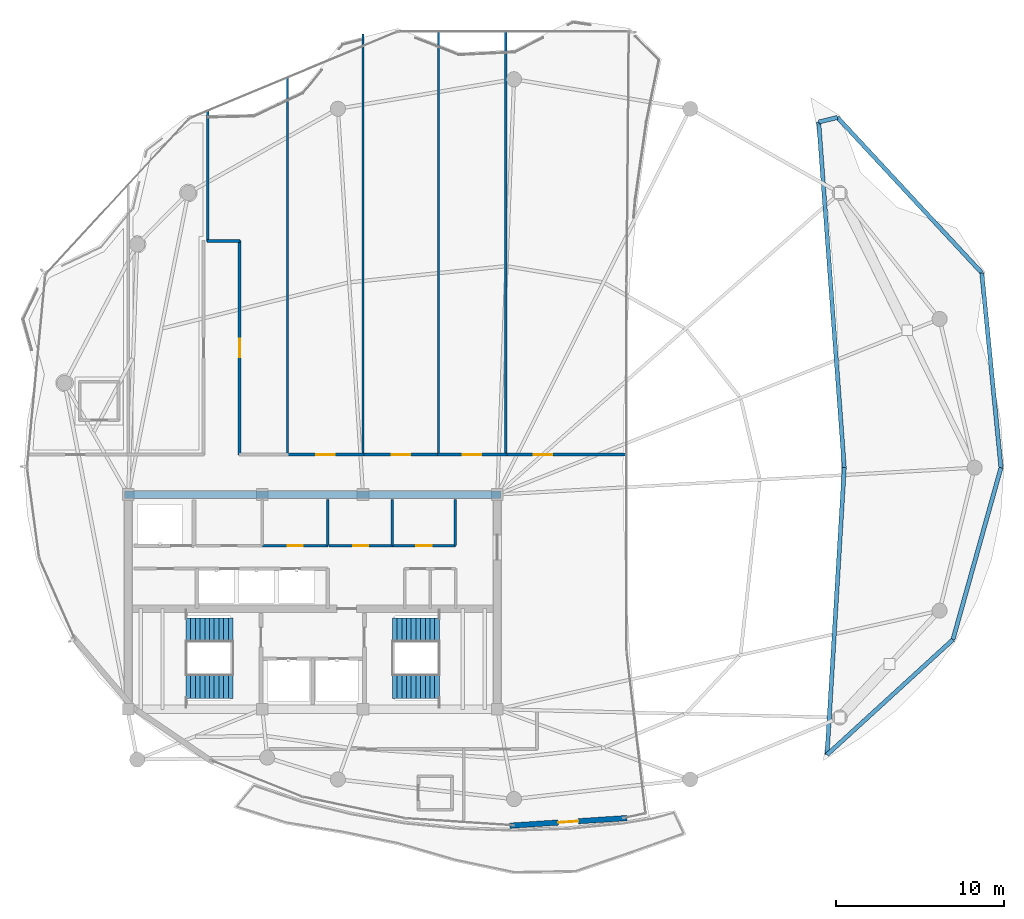
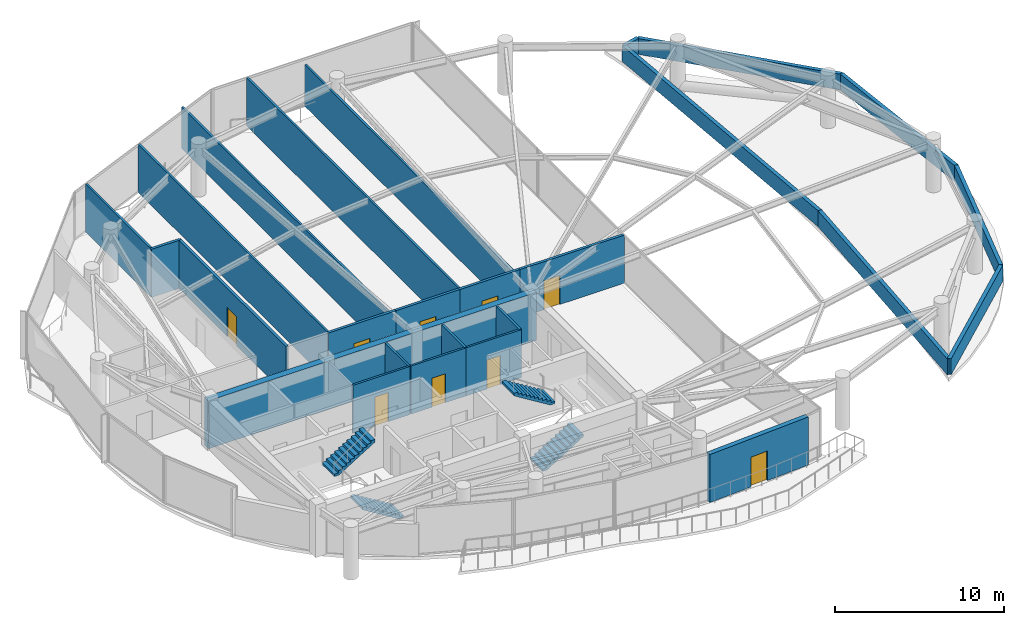
# One storey, part 19 of 22: 26 walls, 9 doors, 4 stair flights, 9 openings, 2 elements without a shape of their own.
"""IFC4 building model written with IfcOpenShell, lengths in metres."""

from ifc_helpers import new_model, si_unit, direction, frame, frame_2d, origin, place, context, subcontext, project, spatial, polyline, rectangle, outline, extrude, material, layer, layer_set, type_object, element, fill, aggregate, save


model = new_model("IFC4")

# Units and contexts
model_context = context("Model", 3, precision=1e-05, world=origin(), true_north=direction((0.0, 1.0)))
body_context = subcontext(model_context, "Body", "Model", "MODEL_VIEW")
ifc_project = project(units=[si_unit("LENGTHUNIT", "METRE"), si_unit("AREAUNIT", "SQUARE_METRE"), si_unit("VOLUMEUNIT", "CUBIC_METRE"), si_unit("PLANEANGLEUNIT", "RADIAN"), si_unit("MASSUNIT", "GRAM", prefix="KILO")], contexts=[model_context])

# Site, building, storey
site_placement = place(None, origin())
site = spatial("IfcSite", under=ifc_project, at=site_placement, CompositionType="ELEMENT")
building_placement = place(site_placement, origin())
building = spatial("IfcBuilding", under=site, at=building_placement, Name="Kazevale Care Tower and Concert Hall", CompositionType="ELEMENT")
storey_placement = place(building_placement, frame((0.0, 0.0, 277.60009765625)))
storey = spatial("IfcBuildingStorey", under=building, at=storey_placement, Name="L73", CompositionType="ELEMENT", Elevation=277.60009765625)

# Wall, opening, door
ifc_material_1 = material(Name="Acoustic Gypsum on Steel Stud", Category="steel")
ifc_layer_1 = layer(ifc_material_1, 0.139892578125)
ifc_layer_set_1 = layer_set([ifc_layer_1], Name="Acoustic Gypsum on Steel Stud")
wall_type_1 = type_object("IfcWallType", Name="Acoustic Care & Suite Partition 140", PredefinedType="PARTITIONING", material=ifc_layer_set_1)
wall_1_placement = place(storey_placement, frame((30.0, 33.35009765625, 0.0), z_axis=(0.0, 0.0, 1.0), x_axis=(1.0, 0.0, 0.0)))
wall_1 = element("IfcWall", 1, at=wall_1_placement, inside=storey, type_object=wall_type_1, Name="wall:L73:c_rpl2_s", PredefinedType="PARTITIONING", context=body_context, shape_type="SweptSolid", body=[
    extrude(rectangle(XDim=3.919921875, YDim=0.139892578125, at=frame_2d((1.9599609375, 0.0))), origin(), (0.0, 0.0, 1.0), 3.47998046875),
])
opening_1_placement = place(wall_1_placement, frame((1.5, 0.0, 0.0)))
opening_1 = element("IfcOpeningElement", 2, at=opening_1_placement, cuts=wall_1, Name="Opening ID-900", PredefinedType="OPENING", context=body_context, shape_type="SweptSolid", body=[
    extrude(rectangle(XDim=0.919921875, YDim=2.10009765625, at=frame_2d((0.4599609375, 1.050048828125))), frame((0.0, 0.079833984375, 0.0), z_axis=(0.0, -1.0, 0.0), x_axis=(1.0, 0.0, 0.0)), (0.0, 0.0, 1.0), 0.159912109375),
])
ifc_material_2 = material(Name="Oak Timber Fire Leaf", Category="wood")
door_type_1 = type_object("IfcDoorType", Name="Bathroom & Service Door 920x2100", OperationType="NOTDEFINED", PredefinedType="DOOR", material=ifc_material_2)
door_1_placement = place(opening_1_placement, origin())
door_1 = element("IfcDoor", 3, at=door_1_placement, inside=storey, type_object=door_type_1, Name="door:L73:d_rpl2", OperationType="SINGLE_SWING_RIGHT", OverallHeight=2.10009765625, OverallWidth=0.919921875, PredefinedType="DOOR", context=body_context, shape_type="SweptSolid", body=[
    extrude(rectangle(XDim=0.919921875, YDim=2.10009765625, at=frame_2d((0.4599609375, 1.050048828125))), frame((0.0, 0.02490234375, 0.0), z_axis=(0.0, -1.0, 0.0), x_axis=(1.0, 0.0, 0.0)), (0.0, 0.0, 1.0), 0.050048828125),
])
fill(opening_1, door_1)

# Wall
wall_2_placement = place(storey_placement, frame((33.89990234375, 33.35009765625, 0.0), z_axis=(0.0, 0.0, 1.0), x_axis=(0.0, 1.0, 0.0)))
element("IfcWall", 4, at=wall_2_placement, inside=storey, type_object=wall_type_1, Name="wall:L73:c_rpl_e", PredefinedType="PARTITIONING", context=body_context, shape_type="SweptSolid", body=[
    extrude(rectangle(XDim=2.75, YDim=0.139892578125, at=frame_2d((1.375, 0.0))), origin(), (0.0, 0.0, 1.0), 3.47998046875),
])

# Wall, opening, door
wall_3_placement = place(storey_placement, frame((33.97998046875, 33.35009765625, 0.0), z_axis=(0.0, 0.0, 1.0), x_axis=(1.0, 0.0, 0.0)))
wall_3 = element("IfcWall", 5, at=wall_3_placement, inside=storey, type_object=wall_type_1, Name="wall:L73:c_rpm1_s", PredefinedType="PARTITIONING", context=body_context, shape_type="SweptSolid", body=[
    extrude(rectangle(XDim=3.77001953125, YDim=0.139892578125, at=frame_2d((1.885009765625, 0.0))), origin(), (0.0, 0.0, 1.0), 3.47998046875),
])
opening_2_placement = place(wall_3_placement, frame((1.425048828125, 0.0, 0.0)))
opening_2 = element("IfcOpeningElement", 6, at=opening_2_placement, cuts=wall_3, Name="Opening ID-900", PredefinedType="OPENING", context=body_context, shape_type="SweptSolid", body=[
    extrude(rectangle(XDim=0.919921875, YDim=2.10009765625, at=frame_2d((0.4599609375, 1.050048828125))), frame((0.0, 0.079833984375, 0.0), z_axis=(0.0, -1.0, 0.0), x_axis=(1.0, 0.0, 0.0)), (0.0, 0.0, 1.0), 0.159912109375),
])
door_2_placement = place(opening_2_placement, origin())
door_2 = element("IfcDoor", 7, at=door_2_placement, inside=storey, type_object=door_type_1, Name="door:L73:d_rpm1", OperationType="SINGLE_SWING_LEFT", OverallHeight=2.10009765625, OverallWidth=0.919921875, PredefinedType="DOOR", context=body_context, shape_type="SweptSolid", body=[
    extrude(rectangle(XDim=0.919921875, YDim=2.10009765625, at=frame_2d((0.4599609375, 1.050048828125))), frame((0.0, 0.02490234375, 0.0), z_axis=(0.0, -1.0, 0.0), x_axis=(1.0, 0.0, 0.0)), (0.0, 0.0, 1.0), 0.050048828125),
])
fill(opening_2, door_2)

wall_4_placement = place(storey_placement, frame((37.75, 33.35009765625, 0.0), z_axis=(0.0, 0.0, 1.0), x_axis=(1.0, 0.0, 0.0)))
wall_4 = element("IfcWall", 8, at=wall_4_placement, inside=storey, type_object=wall_type_1, Name="wall:L73:c_rpm2_s", PredefinedType="PARTITIONING", context=body_context, shape_type="SweptSolid", body=[
    extrude(rectangle(XDim=3.77001953125, YDim=0.139892578125, at=frame_2d((1.885009765625, 0.0))), origin(), (0.0, 0.0, 1.0), 3.47998046875),
])
opening_3_placement = place(wall_4_placement, frame((1.425048828125, 0.0, 0.0)))
opening_3 = element("IfcOpeningElement", 9, at=opening_3_placement, cuts=wall_4, Name="Opening ID-900", PredefinedType="OPENING", context=body_context, shape_type="SweptSolid", body=[
    extrude(rectangle(XDim=0.919921875, YDim=2.10009765625, at=frame_2d((0.4599609375, 1.050048828125))), frame((0.0, 0.079833984375, 0.0), z_axis=(0.0, -1.0, 0.0), x_axis=(1.0, 0.0, 0.0)), (0.0, 0.0, 1.0), 0.159912109375),
])
door_3_placement = place(opening_3_placement, origin())
door_3 = element("IfcDoor", 10, at=door_3_placement, inside=storey, type_object=door_type_1, Name="door:L73:d_rpm2", OperationType="SINGLE_SWING_RIGHT", OverallHeight=2.10009765625, OverallWidth=0.919921875, PredefinedType="DOOR", context=body_context, shape_type="SweptSolid", body=[
    extrude(rectangle(XDim=0.919921875, YDim=2.10009765625, at=frame_2d((0.4599609375, 1.050048828125))), frame((0.0, 0.02490234375, 0.0), z_axis=(0.0, -1.0, 0.0), x_axis=(1.0, 0.0, 0.0)), (0.0, 0.0, 1.0), 0.050048828125),
])
fill(opening_3, door_3)

# Walls
for number, where, z_axis, x_axis, name in (
    (11, (37.75, 33.35009765625, 0.0), (0.0, 0.0, 1.0), (0.0, 1.0, 0.0), "wall:L73:c_rpm_m"),
    (12, (41.5, 33.35009765625, 0.0), (0.0, 0.0, 1.0), (0.0, 1.0, 0.0), "wall:L73:c_rpm_e"),
):
    element("IfcWall", number, at=place(storey_placement, frame(where, z_axis=z_axis, x_axis=x_axis)), inside=storey, type_object=wall_type_1, Name=name, PredefinedType="PARTITIONING", context=body_context, shape_type="SweptSolid", body=[
        extrude(rectangle(XDim=2.75, YDim=0.139892578125, at=frame_2d((1.375, 0.0))), origin(), (0.0, 0.0, 1.0), 3.47998046875),
    ])
wall_5_placement = place(storey_placement, frame((26.75, 59.219970703125, 0.0), z_axis=(0.0, 0.0, 1.0), x_axis=(0.0, -1.0, 0.0)))
element("IfcWall", 13, at=wall_5_placement, inside=storey, type_object=wall_type_1, Name="wall:L73:auto_015", PredefinedType="PARTITIONING", context=body_context, shape_type="SweptSolid", body=[
    extrude(rectangle(XDim=7.75, YDim=0.139892578125, at=frame_2d((3.875, 0.0))), origin(), (0.0, 0.0, 1.0), 3.47998046875),
])
wall_6_placement = place(storey_placement, frame((31.5, 61.245849609375, 0.0), z_axis=(0.0, 0.0, 1.0), x_axis=(0.0, -1.0, 0.0)))
element("IfcWall", 14, at=wall_6_placement, inside=storey, type_object=wall_type_1, Name="wall:L73:auto_016", PredefinedType="PARTITIONING", context=body_context, shape_type="SweptSolid", body=[
    extrude(rectangle(XDim=22.500732421875, YDim=0.139892578125, at=frame_2d((11.25048828125, 0.0))), origin(), (0.0, 0.0, 1.0), 3.47998046875),
])
wall_7_placement = place(storey_placement, frame((36.0, 63.85791015625, 0.0), z_axis=(0.0, 0.0, 1.0), x_axis=(0.0, -1.0, 0.0)))
element("IfcWall", 15, at=wall_7_placement, inside=storey, type_object=wall_type_1, Name="wall:L73:auto_017", PredefinedType="PARTITIONING", context=body_context, shape_type="SweptSolid", body=[
    extrude(rectangle(XDim=25.11279296875, YDim=0.139892578125, at=frame_2d((12.556396484375, 0.0))), origin(), (0.0, 0.0, 1.0), 3.010009765625),
])
wall_8_placement = place(storey_placement, frame((40.5, 63.9814453125, 0.0), z_axis=(0.0, 0.0, 1.0), x_axis=(0.0, -1.0, 0.0)))
element("IfcWall", 16, at=wall_8_placement, inside=storey, type_object=wall_type_1, Name="wall:L73:auto_018", PredefinedType="PARTITIONING", context=body_context, shape_type="SweptSolid", body=[
    extrude(rectangle(XDim=25.236328125, YDim=0.139892578125, at=frame_2d((12.6181640625, 0.0))), origin(), (0.0, 0.0, 1.0), 3.47998046875),
])
wall_9_placement = place(storey_placement, frame((44.5, 63.98681640625, 0.0), z_axis=(0.0, 0.0, 1.0), x_axis=(0.0, -1.0, 0.0)))
element("IfcWall", 17, at=wall_9_placement, inside=storey, type_object=wall_type_1, Name="wall:L73:auto_019", PredefinedType="PARTITIONING", context=body_context, shape_type="SweptSolid", body=[
    extrude(rectangle(XDim=25.24169921875, YDim=0.139892578125, at=frame_2d((12.620849609375, 0.0))), origin(), (0.0, 0.0, 1.0), 3.010009765625),
])
ifc_material_3 = material(Name="Concrete C50", Category="concrete")
ifc_layer_2 = layer(ifc_material_3, 0.449951171875)
ifc_layer_set_2 = layer_set([ifc_layer_2], Name="Concrete C50")
wall_type_2 = type_object("IfcWallType", Name="Core Shear Wall 450 C50", PredefinedType="SHEAR", material=ifc_layer_set_2)
wall_10_placement = place(storey_placement, frame((21.77490234375, 36.39990234375, 0.0), z_axis=(0.0, 0.0, 1.0), x_axis=(1.0, 0.0, 0.0)))
element("IfcWall", 18, at=wall_10_placement, inside=storey, type_object=wall_type_2, Name="wall:L73:core:N", PredefinedType="SHEAR", context=body_context, shape_type="SweptSolid", body=[
    extrude(rectangle(XDim=22.4501953125, YDim=0.449951171875, at=frame_2d((11.22509765625, 0.0))), origin(), (0.0, 0.0, 1.0), 3.47998046875),
])

# Wall, opening, door
ifc_material_4 = material(Name="Concrete C40 and Acoustic Gypsum", Category="concrete")
ifc_layer_3 = layer(ifc_material_4, 0.179931640625)
ifc_layer_set_3 = layer_set([ifc_layer_3], Name="Concrete C40 and Acoustic Gypsum")
wall_type_3 = type_object("IfcWallType", Name="Fire-Rated Corridor & Party Wall 180", PredefinedType="PARTITIONING", material=ifc_layer_set_3)
wall_11_placement = place(storey_placement, frame((28.64990234375, 51.530029296875, 0.0), z_axis=(0.0, 0.0, 1.0), x_axis=(0.0, -1.0, 0.0)))
wall_11 = element("IfcWall", 19, at=wall_11_placement, inside=storey, type_object=wall_type_3, Name="wall:L73:auto_004", PredefinedType="PARTITIONING", context=body_context, shape_type="SweptSolid", body=[
    extrude(rectangle(XDim=12.784912109375, YDim=0.179931640625, at=frame_2d((6.392578125, 0.0))), origin(), (0.0, 0.0, 1.0), 3.47998046875),
])
opening_4_placement = place(wall_11_placement, frame((5.843017578125, 0.0, 0.0)))
opening_4 = element("IfcOpeningElement", 20, at=opening_4_placement, cuts=wall_11, Name="Opening ID-1100", PredefinedType="OPENING", context=body_context, shape_type="SweptSolid", body=[
    extrude(rectangle(XDim=1.10009765625, YDim=2.10009765625, at=frame_2d((0.550048828125, 1.050048828125))), frame((0.0, 0.099853515625, 0.0), z_axis=(0.0, -1.0, 0.0), x_axis=(1.0, 0.0, 0.0)), (0.0, 0.0, 1.0), 0.199951171875),
])
door_type_2 = type_object("IfcDoorType", Name="Care Bedroom Accessible Door 1100x2100", OperationType="NOTDEFINED", PredefinedType="DOOR", material=ifc_material_2)
door_4_placement = place(opening_4_placement, origin())
door_4 = element("IfcDoor", 21, at=door_4_placement, inside=storey, type_object=door_type_2, Name="door:L73:ad_004", OperationType="SINGLE_SWING_LEFT", OverallHeight=2.10009765625, OverallWidth=1.10009765625, PredefinedType="DOOR", context=body_context, shape_type="SweptSolid", body=[
    extrude(rectangle(XDim=1.10009765625, YDim=2.10009765625, at=frame_2d((0.550048828125, 1.050048828125))), frame((0.0, 0.02490234375, 0.0), z_axis=(0.0, -1.0, 0.0), x_axis=(1.0, 0.0, 0.0)), (0.0, 0.0, 1.0), 0.050048828125),
])
fill(opening_4, door_4)

# Wall
wall_12_placement = place(storey_placement, frame((26.68505859375, 51.5, 0.0), z_axis=(0.0, 0.0, 1.0), x_axis=(1.0, 0.0, 0.0)))
element("IfcWall", 22, at=wall_12_placement, inside=storey, type_object=wall_type_3, Name="wall:L73:auto_006", PredefinedType="PARTITIONING", context=body_context, shape_type="SweptSolid", body=[
    extrude(rectangle(XDim=1.994873046875, YDim=0.179931640625, at=frame_2d((0.99755859375, 0.0))), origin(), (0.0, 0.0, 1.0), 3.47998046875),
])

# Wall, opening, door
wall_13_placement = place(storey_placement, frame((31.43505859375, 38.77490234375, 0.0), z_axis=(0.0, 0.0, 1.0), x_axis=(1.0, 0.0, 0.0)))
wall_13 = element("IfcWall", 23, at=wall_13_placement, inside=storey, type_object=wall_type_3, Name="wall:L73:auto_007", PredefinedType="PARTITIONING", context=body_context, shape_type="SweptSolid", body=[
    extrude(rectangle(XDim=4.6298828125, YDim=0.179931640625, at=frame_2d((2.31494140625, 0.0))), origin(), (0.0, 0.0, 1.0), 3.47998046875),
])
opening_5_placement = place(wall_13_placement, frame((1.764892578125, 0.0, 0.0)))
opening_5 = element("IfcOpeningElement", 24, at=opening_5_placement, cuts=wall_13, Name="Opening ID-1100", PredefinedType="OPENING", context=body_context, shape_type="SweptSolid", body=[
    extrude(rectangle(XDim=1.10009765625, YDim=2.10009765625, at=frame_2d((0.550048828125, 1.050048828125))), frame((0.0, 0.099853515625, 0.0), z_axis=(0.0, -1.0, 0.0), x_axis=(1.0, 0.0, 0.0)), (0.0, 0.0, 1.0), 0.199951171875),
])
door_5_placement = place(opening_5_placement, origin())
door_5 = element("IfcDoor", 25, at=door_5_placement, inside=storey, type_object=door_type_2, Name="door:L73:ad_007", OperationType="SINGLE_SWING_LEFT", OverallHeight=2.10009765625, OverallWidth=1.10009765625, PredefinedType="DOOR", context=body_context, shape_type="SweptSolid", body=[
    extrude(rectangle(XDim=1.10009765625, YDim=2.10009765625, at=frame_2d((0.550048828125, 1.050048828125))), frame((0.0, 0.02490234375, 0.0), z_axis=(0.0, -1.0, 0.0), x_axis=(1.0, 0.0, 0.0)), (0.0, 0.0, 1.0), 0.050048828125),
])
fill(opening_5, door_5)

wall_14_placement = place(storey_placement, frame((35.93505859375, 38.77490234375, 0.0), z_axis=(0.0, 0.0, 1.0), x_axis=(1.0, 0.0, 0.0)))
wall_14 = element("IfcWall", 26, at=wall_14_placement, inside=storey, type_object=wall_type_3, Name="wall:L73:auto_008", PredefinedType="PARTITIONING", context=body_context, shape_type="SweptSolid", body=[
    extrude(rectangle(XDim=4.6298828125, YDim=0.179931640625, at=frame_2d((2.31494140625, 0.0))), origin(), (0.0, 0.0, 1.0), 3.47998046875),
])
opening_6_placement = place(wall_14_placement, frame((1.764892578125, 0.0, 0.0)))
opening_6 = element("IfcOpeningElement", 27, at=opening_6_placement, cuts=wall_14, Name="Opening ID-1100", PredefinedType="OPENING", context=body_context, shape_type="SweptSolid", body=[
    extrude(rectangle(XDim=1.10009765625, YDim=2.10009765625, at=frame_2d((0.550048828125, 1.050048828125))), frame((0.0, 0.099853515625, 0.0), z_axis=(0.0, -1.0, 0.0), x_axis=(1.0, 0.0, 0.0)), (0.0, 0.0, 1.0), 0.199951171875),
])
door_6_placement = place(opening_6_placement, origin())
door_6 = element("IfcDoor", 28, at=door_6_placement, inside=storey, type_object=door_type_2, Name="door:L73:ad_008", OperationType="SINGLE_SWING_LEFT", OverallHeight=2.10009765625, OverallWidth=1.10009765625, PredefinedType="DOOR", context=body_context, shape_type="SweptSolid", body=[
    extrude(rectangle(XDim=1.10009765625, YDim=2.10009765625, at=frame_2d((0.550048828125, 1.050048828125))), frame((0.0, 0.02490234375, 0.0), z_axis=(0.0, -1.0, 0.0), x_axis=(1.0, 0.0, 0.0)), (0.0, 0.0, 1.0), 0.050048828125),
])
fill(opening_6, door_6)

wall_15_placement = place(storey_placement, frame((40.43505859375, 38.77490234375, 0.0), z_axis=(0.0, 0.0, 1.0), x_axis=(1.0, 0.0, 0.0)))
wall_15 = element("IfcWall", 29, at=wall_15_placement, inside=storey, type_object=wall_type_3, Name="wall:L73:auto_009", PredefinedType="PARTITIONING", context=body_context, shape_type="SweptSolid", body=[
    extrude(rectangle(XDim=4.1298828125, YDim=0.179931640625, at=frame_2d((2.06494140625, 0.0))), origin(), (0.0, 0.0, 1.0), 3.47998046875),
])
opening_7_placement = place(wall_15_placement, frame((1.514892578125, 0.0, 0.0)))
opening_7 = element("IfcOpeningElement", 30, at=opening_7_placement, cuts=wall_15, Name="Opening ID-1100", PredefinedType="OPENING", context=body_context, shape_type="SweptSolid", body=[
    extrude(rectangle(XDim=1.10009765625, YDim=2.10009765625, at=frame_2d((0.550048828125, 1.050048828125))), frame((0.0, 0.099853515625, 0.0), z_axis=(0.0, -1.0, 0.0), x_axis=(1.0, 0.0, 0.0)), (0.0, 0.0, 1.0), 0.199951171875),
])
door_7_placement = place(opening_7_placement, origin())
door_7 = element("IfcDoor", 31, at=door_7_placement, inside=storey, type_object=door_type_2, Name="door:L73:ad_009", OperationType="SINGLE_SWING_LEFT", OverallHeight=2.10009765625, OverallWidth=1.10009765625, PredefinedType="DOOR", context=body_context, shape_type="SweptSolid", body=[
    extrude(rectangle(XDim=1.10009765625, YDim=2.10009765625, at=frame_2d((0.550048828125, 1.050048828125))), frame((0.0, 0.02490234375, 0.0), z_axis=(0.0, -1.0, 0.0), x_axis=(1.0, 0.0, 0.0)), (0.0, 0.0, 1.0), 0.050048828125),
])
fill(opening_7, door_7)

wall_16_placement = place(storey_placement, frame((44.43505859375, 38.77490234375, 0.0), z_axis=(0.0, 0.0, 1.0), x_axis=(1.0, 0.0, 0.0)))
wall_16 = element("IfcWall", 32, at=wall_16_placement, inside=storey, type_object=wall_type_3, Name="wall:L73:auto_010", PredefinedType="PARTITIONING", context=body_context, shape_type="SweptSolid", body=[
    extrude(rectangle(XDim=7.266845703125, YDim=0.179931640625, at=frame_2d((3.63330078125, 0.0))), origin(), (0.0, 0.0, 1.0), 3.47998046875),
])
opening_8_placement = place(wall_16_placement, frame((1.7470703125, 0.0, 0.0)))
opening_8 = element("IfcOpeningElement", 33, at=opening_8_placement, cuts=wall_16, Name="Opening ID-1100", PredefinedType="OPENING", context=body_context, shape_type="SweptSolid", body=[
    extrude(rectangle(XDim=1.10009765625, YDim=2.10009765625, at=frame_2d((0.550048828125, 1.050048828125))), frame((0.0, 0.099853515625, 0.0), z_axis=(0.0, -1.0, 0.0), x_axis=(1.0, 0.0, 0.0)), (0.0, 0.0, 1.0), 0.199951171875),
])
door_8_placement = place(opening_8_placement, origin())
door_8 = element("IfcDoor", 34, at=door_8_placement, inside=storey, type_object=door_type_2, Name="door:L73:ad_010", OperationType="SINGLE_SWING_LEFT", OverallHeight=2.10009765625, OverallWidth=1.10009765625, PredefinedType="DOOR", context=body_context, shape_type="SweptSolid", body=[
    extrude(rectangle(XDim=1.10009765625, YDim=2.10009765625, at=frame_2d((0.550048828125, 1.050048828125))), frame((0.0, 0.02490234375, 0.0), z_axis=(0.0, -1.0, 0.0), x_axis=(1.0, 0.0, 0.0)), (0.0, 0.0, 1.0), 0.050048828125),
])
fill(opening_8, door_8)

# Walls
ifc_material_5 = material(Name="Concrete C40 with Honed Limestone Cladding", Category="masonry")
ifc_layer_4 = layer(ifc_material_5, 0.25)
ifc_layer_set_4 = layer_set([ifc_layer_4], Name="Concrete C40 with Honed Limestone Cladding")
wall_type_4 = type_object("IfcWallType", Name="Roof Limestone Parapet Wall 250", PredefinedType="PARAPET", material=ifc_layer_set_4)
wall_17_placement = place(storey_placement, frame((64.27392578125, 58.8720703125, 0.0), z_axis=(0.0, 0.0, 1.0), x_axis=(0.680514799805, -0.732734336063, 0.0)))
element("IfcWall", 35, at=wall_17_placement, inside=storey, type_object=wall_type_4, Name="wall:L73:pier_par:1", PredefinedType="PARAPET", context=body_context, shape_type="SweptSolid", body=[
    extrude(rectangle(XDim=12.641845703125, YDim=0.25, at=frame_2d((6.32080078125, 0.0))), origin(), (0.0, 0.0, 1.0), 1.14990234375),
])
wall_18_placement = place(storey_placement, frame((72.876953125, 49.60888671875, 0.0), z_axis=(0.0, 0.0, 1.0), x_axis=(0.097990893627, -0.995187311397, 0.0)))
element("IfcWall", 36, at=wall_18_placement, inside=storey, type_object=wall_type_4, Name="wall:L73:pier_par:2", PredefinedType="PARAPET", context=body_context, shape_type="SweptSolid", body=[
    extrude(rectangle(XDim=11.6650390625, YDim=0.25, at=frame_2d((5.83251953125, 0.0))), origin(), (0.0, 0.0, 1.0), 1.14990234375),
])
wall_19_placement = place(storey_placement, frame((74.02001953125, 38.0, 0.0), z_axis=(0.0, 0.0, 1.0), x_axis=(-0.269217194028, -0.96307948916, 0.0)))
element("IfcWall", 37, at=wall_19_placement, inside=storey, type_object=wall_type_4, Name="wall:L73:pier_par:3", PredefinedType="PARAPET", context=body_context, shape_type="SweptSolid", body=[
    extrude(rectangle(XDim=10.641845703125, YDim=0.25, at=frame_2d((5.32080078125, 0.0))), origin(), (0.0, 0.0, 1.0), 1.14990234375),
])
wall_20_placement = place(storey_placement, frame((71.155029296875, 27.7509765625, 0.0), z_axis=(0.0, 0.0, 1.0), x_axis=(-0.738078707826, -0.674714621936, 0.0)))
element("IfcWall", 38, at=wall_20_placement, inside=storey, type_object=wall_type_4, Name="wall:L73:pier_par:4", PredefinedType="PARAPET", context=body_context, shape_type="SweptSolid", body=[
    extrude(rectangle(XDim=10.1640625, YDim=0.25, at=frame_2d((5.08203125, 0.0))), origin(), (0.0, 0.0, 1.0), 1.14990234375),
])
wall_21_placement = place(storey_placement, frame((63.653076171875, 20.89306640625, 0.0), z_axis=(0.0, 0.0, 1.0), x_axis=(0.059917841169, 0.998203312111, 0.0)))
element("IfcWall", 39, at=wall_21_placement, inside=storey, type_object=wall_type_4, Name="wall:L73:pier_par:5", PredefinedType="PARAPET", context=body_context, shape_type="SweptSolid", body=[
    extrude(rectangle(XDim=17.1376953125, YDim=0.25, at=frame_2d((8.56884765625, 0.0))), origin(), (0.0, 0.0, 1.0), 1.14990234375),
])
wall_22_placement = place(storey_placement, frame((64.679931640625, 38.0, 0.0), z_axis=(0.0, 0.0, 1.0), x_axis=(-0.073728016463, 0.997278386203, 0.0)))
element("IfcWall", 40, at=wall_22_placement, inside=storey, type_object=wall_type_4, Name="wall:L73:pier_par:6", PredefinedType="PARAPET", context=body_context, shape_type="SweptSolid", body=[
    extrude(rectangle(XDim=20.65625, YDim=0.25, at=frame_2d((10.328125, 0.0))), origin(), (0.0, 0.0, 1.0), 1.14990234375),
])
wall_23_placement = place(storey_placement, frame((63.156982421875, 58.60009765625, 0.0), z_axis=(0.0, 0.0, 1.0), x_axis=(0.971610893341, 0.236584597854, 0.0)))
element("IfcWall", 41, at=wall_23_placement, inside=storey, type_object=wall_type_4, Name="wall:L73:pier_par:7", PredefinedType="PARAPET", context=body_context, shape_type="SweptSolid", body=[
    extrude(rectangle(XDim=1.149658203125, YDim=0.25, at=frame_2d((0.57470703125, 0.0))), origin(), (0.0, 0.0, 1.0), 1.14990234375),
])

# Wall, opening, door
ifc_layer_5 = layer(ifc_material_5, 0.320068359375)
ifc_layer_set_5 = layer_set([ifc_layer_5], Name="Concrete C40 with Honed Limestone Cladding")
wall_type_5 = type_object("IfcWallType", Name="Tower Honed Limestone Spandrel Wall 320", PredefinedType="STANDARD", material=ifc_layer_set_5)
wall_24_placement = place(storey_placement, frame((51.73291015625, 17.118896484375, 0.0), z_axis=(0.0, 0.0, 1.0), x_axis=(-0.997881827293, -0.065052738278, 0.0)))
wall_24 = element("IfcWall", 42, at=wall_24_placement, inside=storey, type_object=wall_type_5, Name="wall:L73:bal_host", PredefinedType="STANDARD", context=body_context, shape_type="SweptSolid", body=[
    extrude(rectangle(XDim=7.0068359375, YDim=0.320068359375, at=frame_2d((3.50341796875, 0.0))), origin(), (0.0, 0.0, 1.0), 3.47998046875),
])
opening_9_placement = place(wall_24_placement, frame((2.904052734375, 0.0, 0.0)))
opening_9 = element("IfcOpeningElement", 43, at=opening_9_placement, cuts=wall_24, Name="Opening BD-1200", PredefinedType="OPENING", context=body_context, shape_type="SweptSolid", body=[
    extrude(rectangle(XDim=1.199951171875, YDim=2.14990234375, at=frame_2d((0.60009765625, 1.074951171875))), frame((0.0, 0.169921875, 0.0), z_axis=(0.0, -1.0, 0.0), x_axis=(1.0, 0.0, 0.0)), (0.0, 0.0, 1.0), 0.340087890625),
])
ifc_material_6 = material(Name="Aluminium 6063-T6 and Low-E Glass", Category="aluminium")
door_type_3 = type_object("IfcDoorType", Name="Sheltered Balcony Glazed Door 1200x2150", OperationType="NOTDEFINED", PredefinedType="DOOR", material=ifc_material_6)
door_9_placement = place(opening_9_placement, origin())
door_9 = element("IfcDoor", 44, at=door_9_placement, inside=storey, type_object=door_type_3, Name="door:L73:BD-1", OperationType="SINGLE_SWING_LEFT", OverallHeight=2.14990234375, OverallWidth=1.199951171875, PredefinedType="DOOR", context=body_context, shape_type="SweptSolid", body=[
    extrude(rectangle(XDim=1.199951171875, YDim=2.14990234375, at=frame_2d((0.60009765625, 1.074951171875))), frame((0.0, 0.02490234375, 0.0), z_axis=(0.0, -1.0, 0.0), x_axis=(1.0, 0.0, 0.0)), (0.0, 0.0, 1.0), 0.050048828125),
])
fill(opening_9, door_9)

# Stair, stair flights
ifc_material_7 = material(Name="Concrete C40", Category="concrete")
stair_type = type_object("IfcStairType", Name="Exit Stair Assembly ST1-U", PredefinedType="HALF_TURN_STAIR", material=ifc_material_7)
stair_1_placement = place(storey_placement, origin())
stair_1 = element("IfcStair", 45, at=stair_1_placement, inside=storey, type_object=stair_type, Name="stair:L73:ST1", PredefinedType="HALF_TURN_STAIR")
ifc_layer_6 = layer(ifc_material_7, 0.159912109375)
ifc_layer_set_6 = layer_set([ifc_layer_6], Name="Concrete C40")
stair_flight_type = type_object("IfcStairFlightType", Name="Exit Stair Flight ST1-U", PredefinedType="STRAIGHT", material=ifc_layer_set_6)
stair_flight_1_placement = place(storey_placement, frame((28.25, 24.969970703125, 0.0), z_axis=(0.0, 0.0, 1.0), x_axis=(-1.0, 0.0, 0.0)))
stair_flight_1 = element("IfcStairFlight", 46, at=stair_flight_1_placement, type_object=stair_flight_type, Name="ST1-U flight 1", NumberOfRisers=11, NumberOfTreads=10, PredefinedType="STRAIGHT", RiserHeight=0.172727, TreadLength=0.28, context=body_context, shape_type="SweptSolid", body=[
    extrude(outline(polyline([(0.0, 0.0), (0.0, 0.172607421875), (0.280029296875, 0.172607421875), (0.280029296875, 0.345458984375), (0.56005859375, 0.345458984375), (0.56005859375, 0.51806640625), (0.840087890625, 0.51806640625), (0.840087890625, 0.69091796875), (1.1201171875, 0.69091796875), (1.1201171875, 0.863525390625), (1.39990234375, 0.863525390625), (1.39990234375, 1.036376953125), (1.679931640625, 1.036376953125), (1.679931640625, 1.208984375), (1.9599609375, 1.208984375), (1.9599609375, 1.3818359375), (2.239990234375, 1.3818359375), (2.239990234375, 1.554443359375), (2.52001953125, 1.554443359375), (2.52001953125, 1.727294921875), (2.800048828125, 1.727294921875), (2.800048828125, 1.89990234375), (2.800048828125, 1.539306640625), (0.3046875, 0.0), (0.0, 0.0)])), frame((0.0, 0.719970703125, 0.0), z_axis=(0.0, -1.0, 0.0), x_axis=(1.0, 0.0, 0.0)), (0.0, 0.0, 1.0), 1.43994140625),
])
stair_flight_2_placement = place(storey_placement, frame((25.449951171875, 28.330078125, 1.89990234375), z_axis=(0.0, 0.0, 1.0), x_axis=(1.0, 0.0, 0.0)))
stair_flight_2 = element("IfcStairFlight", 47, at=stair_flight_2_placement, type_object=stair_flight_type, Name="ST1-U flight 2", NumberOfRisers=11, NumberOfTreads=10, PredefinedType="STRAIGHT", RiserHeight=0.172727, TreadLength=0.28, context=body_context, shape_type="SweptSolid", body=[
    extrude(outline(polyline([(0.0, 0.0), (0.0, 0.172607421875), (0.280029296875, 0.172607421875), (0.280029296875, 0.345458984375), (0.56005859375, 0.345458984375), (0.56005859375, 0.51806640625), (0.840087890625, 0.51806640625), (0.840087890625, 0.69091796875), (1.1201171875, 0.69091796875), (1.1201171875, 0.863525390625), (1.39990234375, 0.863525390625), (1.39990234375, 1.036376953125), (1.679931640625, 1.036376953125), (1.679931640625, 1.208984375), (1.9599609375, 1.208984375), (1.9599609375, 1.3818359375), (2.239990234375, 1.3818359375), (2.239990234375, 1.554443359375), (2.52001953125, 1.554443359375), (2.52001953125, 1.727294921875), (2.800048828125, 1.727294921875), (2.800048828125, 1.89990234375), (2.800048828125, 1.539306640625), (0.3046875, 0.0), (0.0, 0.0)])), frame((0.0, 0.719970703125, 0.0), z_axis=(0.0, -1.0, 0.0), x_axis=(1.0, 0.0, 0.0)), (0.0, 0.0, 1.0), 1.43994140625),
])
aggregate(stair_1, [stair_flight_1, stair_flight_2])

stair_2_placement = place(storey_placement, origin())
stair_2 = element("IfcStair", 48, at=stair_2_placement, inside=storey, type_object=stair_type, Name="stair:L73:ST2", PredefinedType="HALF_TURN_STAIR")
stair_flight_3_placement = place(storey_placement, frame((37.75, 24.969970703125, 0.0), z_axis=(0.0, 0.0, 1.0), x_axis=(1.0, 0.0, 0.0)))
stair_flight_3 = element("IfcStairFlight", 49, at=stair_flight_3_placement, type_object=stair_flight_type, Name="ST1-U flight 1", NumberOfRisers=11, NumberOfTreads=10, PredefinedType="STRAIGHT", RiserHeight=0.172727, TreadLength=0.28, context=body_context, shape_type="SweptSolid", body=[
    extrude(outline(polyline([(0.0, 0.0), (0.0, 0.172607421875), (0.280029296875, 0.172607421875), (0.280029296875, 0.345458984375), (0.56005859375, 0.345458984375), (0.56005859375, 0.51806640625), (0.840087890625, 0.51806640625), (0.840087890625, 0.69091796875), (1.1201171875, 0.69091796875), (1.1201171875, 0.863525390625), (1.39990234375, 0.863525390625), (1.39990234375, 1.036376953125), (1.679931640625, 1.036376953125), (1.679931640625, 1.208984375), (1.9599609375, 1.208984375), (1.9599609375, 1.3818359375), (2.239990234375, 1.3818359375), (2.239990234375, 1.554443359375), (2.52001953125, 1.554443359375), (2.52001953125, 1.727294921875), (2.800048828125, 1.727294921875), (2.800048828125, 1.89990234375), (2.800048828125, 1.539306640625), (0.3046875, 0.0), (0.0, 0.0)])), frame((0.0, 0.719970703125, 0.0), z_axis=(0.0, -1.0, 0.0), x_axis=(1.0, 0.0, 0.0)), (0.0, 0.0, 1.0), 1.43994140625),
])
stair_flight_4_placement = place(storey_placement, frame((40.550048828125, 28.330078125, 1.89990234375), z_axis=(0.0, 0.0, 1.0), x_axis=(-1.0, 0.0, 0.0)))
stair_flight_4 = element("IfcStairFlight", 50, at=stair_flight_4_placement, type_object=stair_flight_type, Name="ST1-U flight 2", NumberOfRisers=11, NumberOfTreads=10, PredefinedType="STRAIGHT", RiserHeight=0.172727, TreadLength=0.28, context=body_context, shape_type="SweptSolid", body=[
    extrude(outline(polyline([(0.0, 0.0), (0.0, 0.172607421875), (0.280029296875, 0.172607421875), (0.280029296875, 0.345458984375), (0.56005859375, 0.345458984375), (0.56005859375, 0.51806640625), (0.840087890625, 0.51806640625), (0.840087890625, 0.69091796875), (1.1201171875, 0.69091796875), (1.1201171875, 0.863525390625), (1.39990234375, 0.863525390625), (1.39990234375, 1.036376953125), (1.679931640625, 1.036376953125), (1.679931640625, 1.208984375), (1.9599609375, 1.208984375), (1.9599609375, 1.3818359375), (2.239990234375, 1.3818359375), (2.239990234375, 1.554443359375), (2.52001953125, 1.554443359375), (2.52001953125, 1.727294921875), (2.800048828125, 1.727294921875), (2.800048828125, 1.89990234375), (2.800048828125, 1.539306640625), (0.3046875, 0.0), (0.0, 0.0)])), frame((0.0, 0.719970703125, 0.0), z_axis=(0.0, -1.0, 0.0), x_axis=(1.0, 0.0, 0.0)), (0.0, 0.0, 1.0), 1.43994140625),
])
aggregate(stair_2, [stair_flight_3, stair_flight_4])

save(model, "model.ifc")
